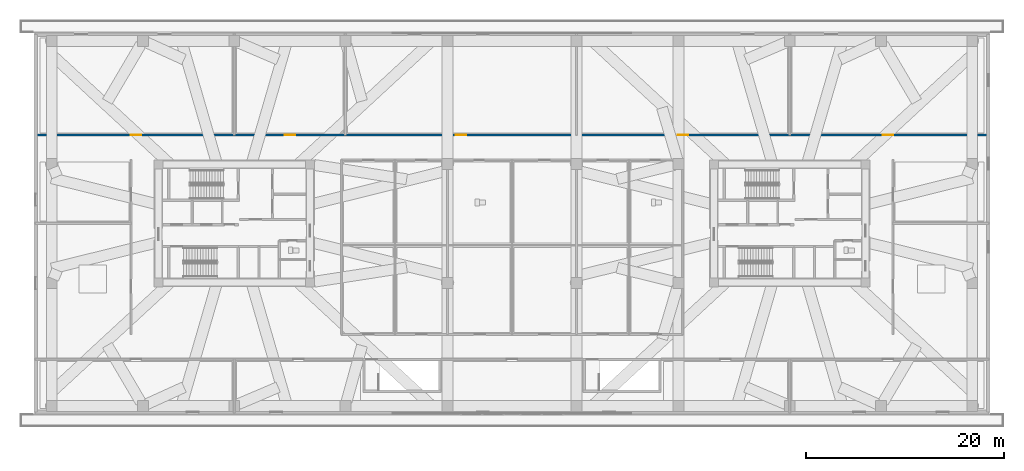
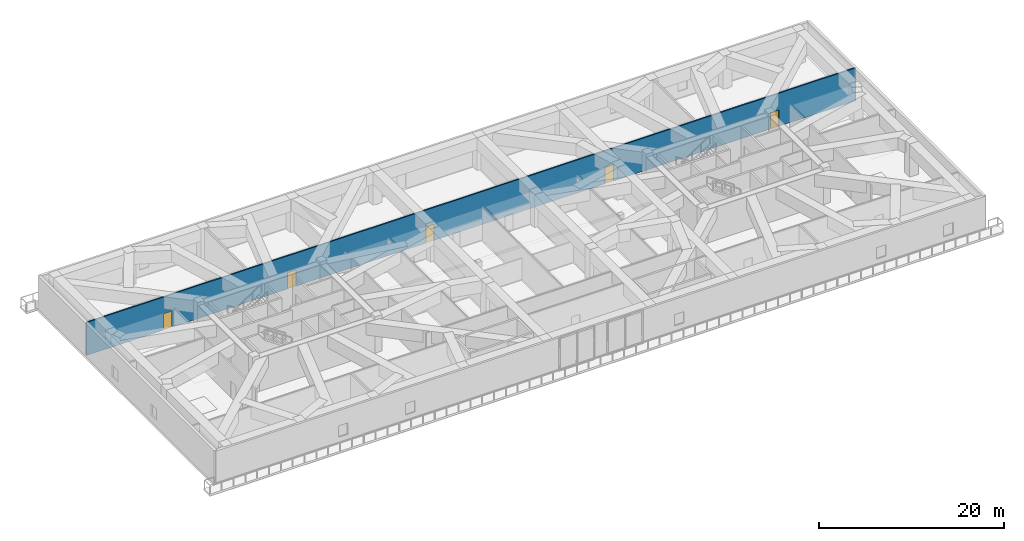
# One storey, part 9 of 21: 5 doors, 1 wall, 5 openings.
"""IFC4 building model written with IfcOpenShell, lengths in metres."""

from ifc_helpers import new_model, si_unit, direction, frame, frame_2d, origin, place, context, subcontext, project, spatial, rectangle, extrude, source, transform, mapped, material, layer, layer_set, type_object, type_shapes, element, fill, save


model = new_model("IFC4")

# Units and contexts
model_context = context("Model", 3, precision=1e-05, world=origin(), true_north=direction((0.0, 1.0)))
body_context = subcontext(model_context, "Body", "Model", "MODEL_VIEW")
ifc_project = project(units=[si_unit("LENGTHUNIT", "METRE"), si_unit("AREAUNIT", "SQUARE_METRE"), si_unit("VOLUMEUNIT", "CUBIC_METRE"), si_unit("PLANEANGLEUNIT", "RADIAN"), si_unit("MASSUNIT", "GRAM", prefix="KILO")], contexts=[model_context])

# Site, building, storey
site_placement = place(None, origin())
site = spatial("IfcSite", under=ifc_project, at=site_placement, CompositionType="ELEMENT")
building_placement = place(site_placement, origin())
building = spatial("IfcBuilding", under=site, at=building_placement, Name="Norrkilde Senior Care Towers", CompositionType="ELEMENT")
storey_placement = place(building_placement, frame((0.0, 0.0, 16.800048828125)))
storey = spatial("IfcBuildingStorey", under=building, at=storey_placement, Name="L04", CompositionType="ELEMENT", Elevation=16.800048828125)

# Wall, openings, doors
ifc_material_1 = material(Name="Gypsum Acoustic Board")
ifc_layer = layer(ifc_material_1, 0.1650390625)
ifc_layer_set = layer_set([ifc_layer], Name="Gypsum Acoustic Board")
wall_type = type_object("IfcWallType", Name="Corridor Rated Partition 165", PredefinedType="PARTITIONING", material=ifc_layer_set)
shared_shape_1 = source(origin(), body_context, "Body", "SweptSolid", [
    extrude(rectangle(XDim=96.10009765625, YDim=0.1650390625, at=frame_2d((48.050048828125, 0.0))), origin(), (0.0, 0.0, 1.0), 4.364990234375),
])
type_shapes(wall_type, [shared_shape_1])
wall_placement = place(storey_placement, frame((-48.050048828125, 8.89990234375, 0.0), z_axis=(0.0, 0.0, 1.0), x_axis=(1.0, 0.0, 0.0)))
wall = element("IfcWall", 1, at=wall_placement, inside=storey, type_object=wall_type, Name="WL-INT-L04-POD-NPS", PredefinedType="PARTITIONING", context=body_context, shape_type="MappedRepresentation", body=[
    mapped(shared_shape_1, transform((0.0, 0.0, 0.0), x_axis=(1.0, 0.0, 0.0), y_axis=(0.0, 1.0, 0.0), z_axis=(0.0, 0.0, 1.0), scale=1.0)),
])
opening_1_placement = place(wall_placement, frame((9.625, 0.0, 0.0)))
opening_1 = element("IfcOpeningElement", 2, at=opening_1_placement, cuts=wall, Name="Opening D-06", PredefinedType="OPENING", context=body_context, shape_type="SweptSolid", body=[
    extrude(rectangle(XDim=1.050048828125, YDim=2.14990234375, at=frame_2d((0.52490234375, 1.074951171875))), frame((0.0, 0.092529296875, 0.0), z_axis=(0.0, -1.0, 0.0), x_axis=(1.0, 0.0, 0.0)), (0.0, 0.0, 1.0), 0.18505859375),
])
opening_2_placement = place(wall_placement, frame((25.125, 0.0, 0.0)))
opening_2 = element("IfcOpeningElement", 3, at=opening_2_placement, cuts=wall, Name="Opening D-06", PredefinedType="OPENING", context=body_context, shape_type="SweptSolid", body=[
    extrude(rectangle(XDim=1.050048828125, YDim=2.14990234375, at=frame_2d((0.52490234375, 1.074951171875))), frame((0.0, 0.092529296875, 0.0), z_axis=(0.0, -1.0, 0.0), x_axis=(1.0, 0.0, 0.0)), (0.0, 0.0, 1.0), 0.18505859375),
])
opening_3_placement = place(wall_placement, frame((42.375, 0.0, 0.0)))
opening_3 = element("IfcOpeningElement", 4, at=opening_3_placement, cuts=wall, Name="Opening D-06", PredefinedType="OPENING", context=body_context, shape_type="SweptSolid", body=[
    extrude(rectangle(XDim=1.050048828125, YDim=2.14990234375, at=frame_2d((0.52490234375, 1.074951171875))), frame((0.0, 0.092529296875, 0.0), z_axis=(0.0, -1.0, 0.0), x_axis=(1.0, 0.0, 0.0)), (0.0, 0.0, 1.0), 0.18505859375),
])
opening_4_placement = place(wall_placement, frame((64.77490234375, 0.0, 0.0)))
opening_4 = element("IfcOpeningElement", 5, at=opening_4_placement, cuts=wall, Name="Opening D-06", PredefinedType="OPENING", context=body_context, shape_type="SweptSolid", body=[
    extrude(rectangle(XDim=1.050048828125, YDim=2.14990234375, at=frame_2d((0.52490234375, 1.074951171875))), frame((0.0, 0.092529296875, 0.0), z_axis=(0.0, -1.0, 0.0), x_axis=(1.0, 0.0, 0.0)), (0.0, 0.0, 1.0), 0.18505859375),
])
opening_5_placement = place(wall_placement, frame((85.425048828125, 0.0, 0.0)))
opening_5 = element("IfcOpeningElement", 6, at=opening_5_placement, cuts=wall, Name="Opening D-06", PredefinedType="OPENING", context=body_context, shape_type="SweptSolid", body=[
    extrude(rectangle(XDim=1.050048828125, YDim=2.14990234375, at=frame_2d((0.52490234375, 1.074951171875))), frame((0.0, 0.092529296875, 0.0), z_axis=(0.0, -1.0, 0.0), x_axis=(1.0, 0.0, 0.0)), (0.0, 0.0, 1.0), 0.18505859375),
])
ifc_material_2 = material(Name="Nordic Ash Timber", Category="wood")
door_type = type_object("IfcDoorType", Name="Apartment Entrance Fire Door 1050x2150", OperationType="NOTDEFINED", PredefinedType="DOOR", material=ifc_material_2)
shared_shape_2 = source(origin(), body_context, "Body", "SweptSolid", [
    extrude(rectangle(XDim=1.050048828125, YDim=2.14990234375, at=frame_2d((0.52490234375, 1.074951171875))), frame((0.0, 0.02490234375, 0.0), z_axis=(0.0, -1.0, 0.0), x_axis=(1.0, 0.0, 0.0)), (0.0, 0.0, 1.0), 0.050048828125),
])
type_shapes(door_type, [shared_shape_2])
door_1_placement = place(opening_1_placement, origin())
door_1 = element("IfcDoor", 7, at=door_1_placement, inside=storey, type_object=door_type, Name="L04 North Suite 1 Door", OperationType="SINGLE_SWING_LEFT", OverallHeight=2.14990234375, OverallWidth=1.050048828125, PredefinedType="DOOR", context=body_context, shape_type="MappedRepresentation", body=[
    mapped(shared_shape_2, transform((0.0, 0.0, 0.0), x_axis=(1.0, 0.0, 0.0), y_axis=(0.0, 1.0, 0.0), z_axis=(0.0, 0.0, 1.0), scale=1.0)),
])
fill(opening_1, door_1)
door_2_placement = place(opening_2_placement, origin())
door_2 = element("IfcDoor", 8, at=door_2_placement, inside=storey, type_object=door_type, Name="L04 North Suite 2 Door", OperationType="SINGLE_SWING_RIGHT", OverallHeight=2.14990234375, OverallWidth=1.050048828125, PredefinedType="DOOR", context=body_context, shape_type="MappedRepresentation", body=[
    mapped(shared_shape_2, transform((0.0, 0.0, 0.0), x_axis=(1.0, 0.0, 0.0), y_axis=(0.0, 1.0, 0.0), z_axis=(0.0, 0.0, 1.0), scale=1.0)),
])
fill(opening_2, door_2)
door_3_placement = place(opening_3_placement, origin())
door_3 = element("IfcDoor", 9, at=door_3_placement, inside=storey, type_object=door_type, Name="L04 North Suite 3 Door", OperationType="SINGLE_SWING_LEFT", OverallHeight=2.14990234375, OverallWidth=1.050048828125, PredefinedType="DOOR", context=body_context, shape_type="MappedRepresentation", body=[
    mapped(shared_shape_2, transform((0.0, 0.0, 0.0), x_axis=(1.0, 0.0, 0.0), y_axis=(0.0, 1.0, 0.0), z_axis=(0.0, 0.0, 1.0), scale=1.0)),
])
fill(opening_3, door_3)
door_4_placement = place(opening_4_placement, origin())
door_4 = element("IfcDoor", 10, at=door_4_placement, inside=storey, type_object=door_type, Name="L04 North Suite 4 Door", OperationType="SINGLE_SWING_RIGHT", OverallHeight=2.14990234375, OverallWidth=1.050048828125, PredefinedType="DOOR", context=body_context, shape_type="MappedRepresentation", body=[
    mapped(shared_shape_2, transform((0.0, 0.0, 0.0), x_axis=(1.0, 0.0, 0.0), y_axis=(0.0, 1.0, 0.0), z_axis=(0.0, 0.0, 1.0), scale=1.0)),
])
fill(opening_4, door_4)
door_5_placement = place(opening_5_placement, origin())
door_5 = element("IfcDoor", 11, at=door_5_placement, inside=storey, type_object=door_type, Name="L04 North Suite 5 Door", OperationType="SINGLE_SWING_LEFT", OverallHeight=2.14990234375, OverallWidth=1.050048828125, PredefinedType="DOOR", context=body_context, shape_type="MappedRepresentation", body=[
    mapped(shared_shape_2, transform((0.0, 0.0, 0.0), x_axis=(1.0, 0.0, 0.0), y_axis=(0.0, 1.0, 0.0), z_axis=(0.0, 0.0, 1.0), scale=1.0)),
])
fill(opening_5, door_5)

save(model, "model.ifc")
